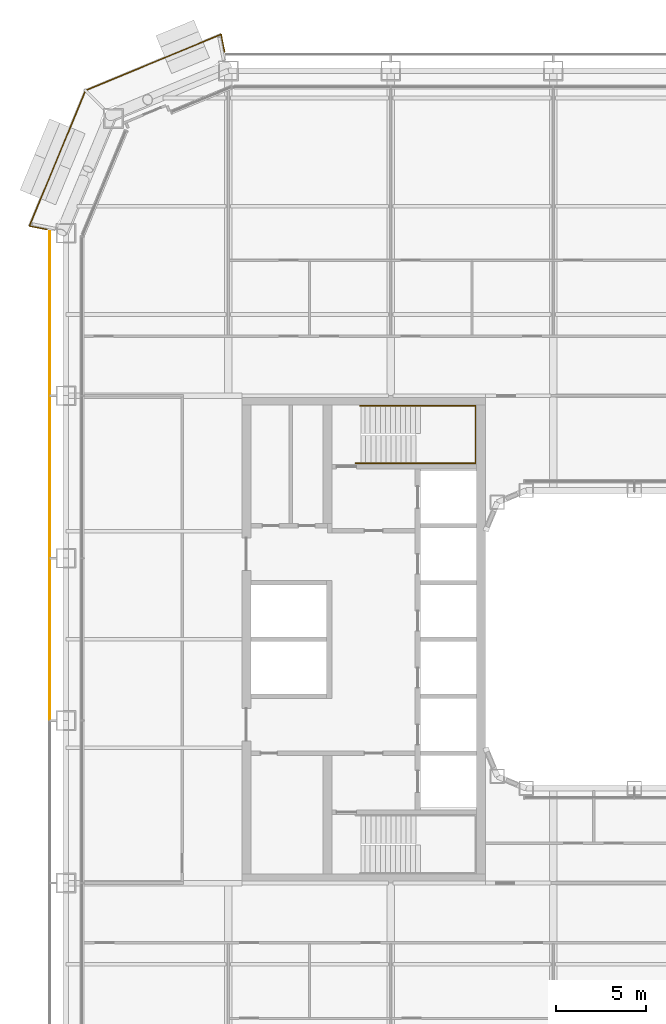
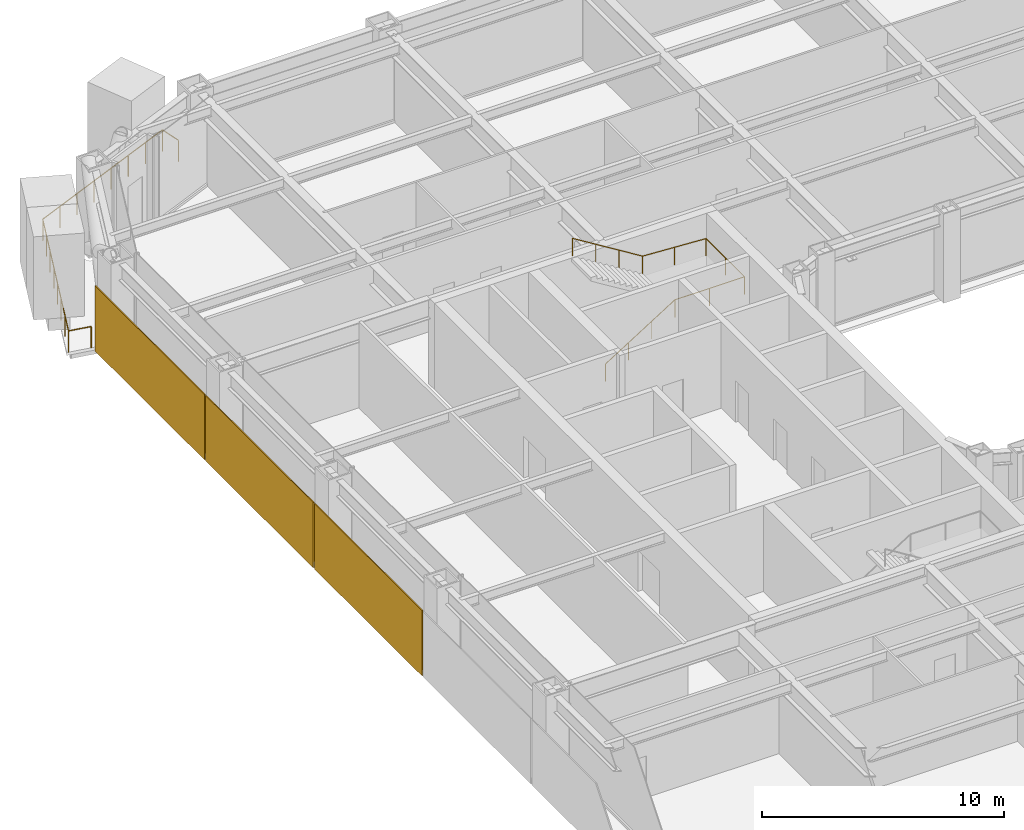
# One storey, part 26 of 29: 3 coverings, 2 railings.
"""IFC4 building model written with IfcOpenShell, lengths in metres."""

from ifc_helpers import new_model, si_unit, direction, frame, origin, origin_2d, place, context, subcontext, project, spatial, rectangle, circle, extrude, material, layer, layer_set, type_object, element, save


model = new_model("IFC4")

# Units and contexts
model_context = context("Model", 3, precision=1e-05, world=origin(), true_north=direction((0.0, 1.0)))
body_context = subcontext(model_context, "Body", "Model", "MODEL_VIEW")
ifc_project = project(units=[si_unit("LENGTHUNIT", "METRE"), si_unit("AREAUNIT", "SQUARE_METRE"), si_unit("VOLUMEUNIT", "CUBIC_METRE"), si_unit("PLANEANGLEUNIT", "RADIAN"), si_unit("MASSUNIT", "GRAM", prefix="KILO")], contexts=[model_context])

# Site, building, storey
site_placement = place(None, origin())
site = spatial("IfcSite", under=ifc_project, at=site_placement, CompositionType="ELEMENT")
building_placement = place(site_placement, origin())
building = spatial("IfcBuilding", under=site, at=building_placement, Name="Siwar Civic Tower", CompositionType="ELEMENT")
storey_placement = place(building_placement, frame((0.0, 0.0, 49.199951171875)))
storey = spatial("IfcBuildingStorey", under=building, at=storey_placement, Name="L10", CompositionType="ELEMENT", Elevation=49.199951171875)

# Railings
ifc_material_1 = material(Name="Stainless steel", Category="steel")
railing_type_1 = type_object("IfcRailingType", Name="CORE-STAIR-HANDRAIL", PredefinedType="HANDRAIL", material=ifc_material_1)
railing_1_placement = place(storey_placement, frame((-15.449951171875, 9.758056640625, 0.173095703125)))
element("IfcRailing", 1, at=railing_1_placement, inside=storey, type_object=railing_type_1, Name="Stair handrail ST1", PredefinedType="HANDRAIL", context=body_context, shape_type="SweptSolid", body=[
    extrude(circle(Radius=0.02001953125, at=origin_2d()), frame((0.0, 0.0, 0.8798828125), z_axis=(0.847063342986, 0.0, 0.531491950051), x_axis=(0.0, 1.0, 0.0)), (0.0, 0.0, 1.0), 3.90771484375),
    extrude(circle(Radius=0.02001953125, at=origin_2d()), frame((3.31005859375, 0.0, 2.956787109375), z_axis=(1.0, 0.0, 0.0), x_axis=(0.0, 1.0, 0.0)), (0.0, 0.0, 1.0), 3.331787109375),
    extrude(circle(Radius=0.02001953125, at=origin_2d()), frame((6.641845703125, 0.0, 2.956787109375), z_axis=(0.0, 1.0, 0.0), x_axis=(-1.0, 0.0, 0.0)), (0.0, 0.0, 1.0), 3.183837890625),
    extrude(circle(Radius=0.02001953125, at=origin_2d()), frame((6.641845703125, 3.183837890625, 2.956787109375), z_axis=(-0.99837434197, 0.0, 0.056997134106), x_axis=(0.0, -1.0, 0.0)), (0.0, 0.0, 1.0), 3.036865234375),
    extrude(circle(Radius=0.02001953125, at=origin_2d()), frame((3.60986328125, 3.183837890625, 3.1298828125), z_axis=(-0.850606129759, 0.0, 0.525803396734), x_axis=(0.0, -1.0, 0.0)), (0.0, 0.0, 1.0), 3.949951171875),
    extrude(circle(Radius=0.02001953125, at=origin_2d()), origin(), (0.0, 0.0, 1.0), 0.85986328125),
    extrude(circle(Radius=0.02001953125, at=origin_2d()), frame((1.103271484375, 0.0, 0.6923828125)), (0.0, 0.0, 1.0), 0.85986328125),
    extrude(circle(Radius=0.02001953125, at=origin_2d()), frame((2.206787109375, 0.0, 1.384521484375)), (0.0, 0.0, 1.0), 0.85986328125),
    extrude(circle(Radius=0.02001953125, at=origin_2d()), frame((3.31005859375, 0.0, 2.076904296875)), (0.0, 0.0, 1.0), 0.85986328125),
    extrude(circle(Radius=0.02001953125, at=origin_2d()), frame((4.97607421875, 0.0, 2.076904296875)), (0.0, 0.0, 1.0), 0.85986328125),
    extrude(circle(Radius=0.02001953125, at=origin_2d()), frame((6.641845703125, 0.0, 2.076904296875)), (0.0, 0.0, 1.0), 0.85986328125),
    extrude(circle(Radius=0.02001953125, at=origin_2d()), frame((6.641845703125, 1.591796875, 2.076904296875)), (0.0, 0.0, 1.0), 0.85986328125),
    extrude(circle(Radius=0.02001953125, at=origin_2d()), frame((6.641845703125, 3.183837890625, 2.076904296875)), (0.0, 0.0, 1.0), 0.85986328125),
    extrude(circle(Radius=0.02001953125, at=origin_2d()), frame((5.1259765625, 3.183837890625, 2.16357421875)), (0.0, 0.0, 1.0), 0.85986328125),
    extrude(circle(Radius=0.02001953125, at=origin_2d()), frame((3.60986328125, 3.183837890625, 2.25)), (0.0, 0.0, 1.0), 0.85986328125),
    extrude(circle(Radius=0.02001953125, at=origin_2d()), frame((2.489990234375, 3.183837890625, 2.9423828125)), (0.0, 0.0, 1.0), 0.85986328125),
    extrude(circle(Radius=0.02001953125, at=origin_2d()), frame((1.369873046875, 3.183837890625, 3.634521484375)), (0.0, 0.0, 1.0), 0.85986328125),
    extrude(circle(Radius=0.02001953125, at=origin_2d()), frame((0.25, 3.183837890625, 4.326904296875)), (0.0, 0.0, 1.0), 0.85986328125),
])
ifc_material_2 = material(Name="Stainless steel 316", Category="steel")
railing_type_2 = type_object("IfcRailingType", Name="ENV-GUARD", PredefinedType="GUARDRAIL", material=ifc_material_2)
railing_2_placement = place(storey_placement, frame((-22.708251953125, 32.547119140625, 0.0)))
element("IfcRailing", 2, at=railing_2_placement, inside=storey, type_object=railing_type_2, Name="Balcony guard NW", PredefinedType="GUARDRAIL", context=body_context, shape_type="SweptSolid", body=[
    extrude(circle(Radius=0.02392578125, at=origin_2d()), frame((0.0, 0.0, 1.076171875), z_axis=(-0.195123592472, 0.980778661911, 0.0), x_axis=(-0.980778661911, -0.195123592472, 0.0)), (0.0, 0.0, 1.0), 0.993408203125),
    extrude(circle(Radius=0.02392578125, at=origin_2d()), frame((-0.19384765625, 0.974365234375, 1.076171875), z_axis=(-0.924089256518, -0.382176720888, 0.0), x_axis=(0.382176720888, -0.924089256518, 0.0)), (0.0, 0.0, 1.0), 8.129638671875),
    extrude(circle(Radius=0.02392578125, at=origin_2d()), frame((-7.706298828125, -2.132568359375, 1.076171875), z_axis=(-0.382176720888, -0.924089256518, 0.0), x_axis=(0.924089256518, -0.382176720888, 0.0)), (0.0, 0.0, 1.0), 8.129638671875),
    extrude(circle(Radius=0.02392578125, at=origin_2d()), frame((-10.813232421875, -9.64501953125, 1.076171875), z_axis=(0.980778661911, -0.195123592472, 0.0), x_axis=(0.195123592472, 0.980778661911, 0.0)), (0.0, 0.0, 1.0), 0.993408203125),
    extrude(circle(Radius=0.02099609375, at=origin_2d()), origin(), (0.0, 0.0, 1.0), 1.052001953125),
    extrude(circle(Radius=0.02099609375, at=origin_2d()), frame((-0.19384765625, 0.974365234375, 0.0)), (0.0, 0.0, 1.0), 1.052001953125),
    extrude(circle(Radius=0.02099609375, at=origin_2d()), frame((-1.26708984375, 0.530517578125, 0.0)), (0.0, 0.0, 1.0), 1.052001953125),
    extrude(circle(Radius=0.02099609375, at=origin_2d()), frame((-2.34033203125, 0.086669921875, 0.0)), (0.0, 0.0, 1.0), 1.052001953125),
    extrude(circle(Radius=0.02099609375, at=origin_2d()), frame((-3.41357421875, -0.357177734375, 0.0)), (0.0, 0.0, 1.0), 1.052001953125),
    extrude(circle(Radius=0.02099609375, at=origin_2d()), frame((-4.486572265625, -0.801025390625, 0.0)), (0.0, 0.0, 1.0), 1.052001953125),
    extrude(circle(Radius=0.02099609375, at=origin_2d()), frame((-5.559814453125, -1.244873046875, 0.0)), (0.0, 0.0, 1.0), 1.052001953125),
    extrude(circle(Radius=0.02099609375, at=origin_2d()), frame((-6.633056640625, -1.688720703125, 0.0)), (0.0, 0.0, 1.0), 1.052001953125),
    extrude(circle(Radius=0.02099609375, at=origin_2d()), frame((-7.706298828125, -2.132568359375, 0.0)), (0.0, 0.0, 1.0), 1.052001953125),
    extrude(circle(Radius=0.02099609375, at=origin_2d()), frame((-8.150146484375, -3.205810546875, 0.0)), (0.0, 0.0, 1.0), 1.052001953125),
    extrude(circle(Radius=0.02099609375, at=origin_2d()), frame((-8.593994140625, -4.279052734375, 0.0)), (0.0, 0.0, 1.0), 1.052001953125),
    extrude(circle(Radius=0.02099609375, at=origin_2d()), frame((-9.037841796875, -5.352294921875, 0.0)), (0.0, 0.0, 1.0), 1.052001953125),
    extrude(circle(Radius=0.02099609375, at=origin_2d()), frame((-9.481689453125, -6.42529296875, 0.0)), (0.0, 0.0, 1.0), 1.052001953125),
    extrude(circle(Radius=0.02099609375, at=origin_2d()), frame((-9.925537109375, -7.49853515625, 0.0)), (0.0, 0.0, 1.0), 1.052001953125),
    extrude(circle(Radius=0.02099609375, at=origin_2d()), frame((-10.369384765625, -8.57177734375, 0.0)), (0.0, 0.0, 1.0), 1.052001953125),
    extrude(circle(Radius=0.02099609375, at=origin_2d()), frame((-10.813232421875, -9.64501953125, 0.0)), (0.0, 0.0, 1.0), 1.052001953125),
    extrude(circle(Radius=0.02099609375, at=origin_2d()), frame((-9.8388671875, -9.8388671875, 0.0)), (0.0, 0.0, 1.0), 1.052001953125),
])

# Coverings
ifc_material_3 = material(Name="Perforated aluminium cassette, pale metal", Category="aluminium")
ifc_layer = layer(ifc_material_3, 0.050048828125)
ifc_layer_set = layer_set([ifc_layer], Name="Perforated aluminium cassette, pale metal")
covering_type = type_object("IfcCoveringType", Name="ENV-OUTER SKIN OS-3", PredefinedType="CLADDING", material=ifc_layer_set)
covering_placement = place(storey_placement, frame((-32.39990234375, 18.07958984375, -0.14990234375), z_axis=(0.0, 0.0, 1.0), x_axis=(0.0, -1.0, 0.0)))
element("IfcCovering", 3, at=covering_placement, inside=storey, type_object=covering_type, Name="OUTER SKIN OS-3 W 1", PredefinedType="CLADDING", context=body_context, shape_type="SweptSolid", body=[
    extrude(rectangle(XDim=9.05908203125, YDim=0.050048828125, at=origin_2d()), origin(), (0.0, 0.0, 1.0), 3.300048828125),
])
for number, where, z_axis, x_axis, name in (
    (4, (-32.39990234375, 9.0, -0.14990234375), (0.0, 0.0, 1.0), (0.0, -1.0, 0.0), "OUTER SKIN OS-3 W 2"),
    (5, (-32.39990234375, 0.0, -0.14990234375), (0.0, 0.0, 1.0), (0.0, -1.0, 0.0), "OUTER SKIN OS-3 W 3"),
):
    element("IfcCovering", number, at=place(storey_placement, frame(where, z_axis=z_axis, x_axis=x_axis)), inside=storey, type_object=covering_type, Name=name, PredefinedType="CLADDING", context=body_context, shape_type="SweptSolid", body=[
        extrude(rectangle(XDim=8.89990234375, YDim=0.050048828125, at=origin_2d()), origin(), (0.0, 0.0, 1.0), 3.300048828125),
    ])

save(model, "model.ifc")
